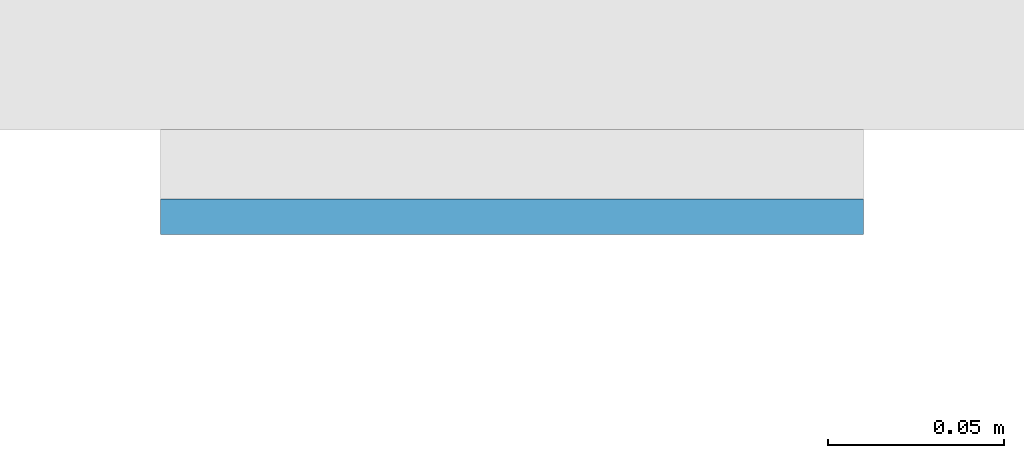
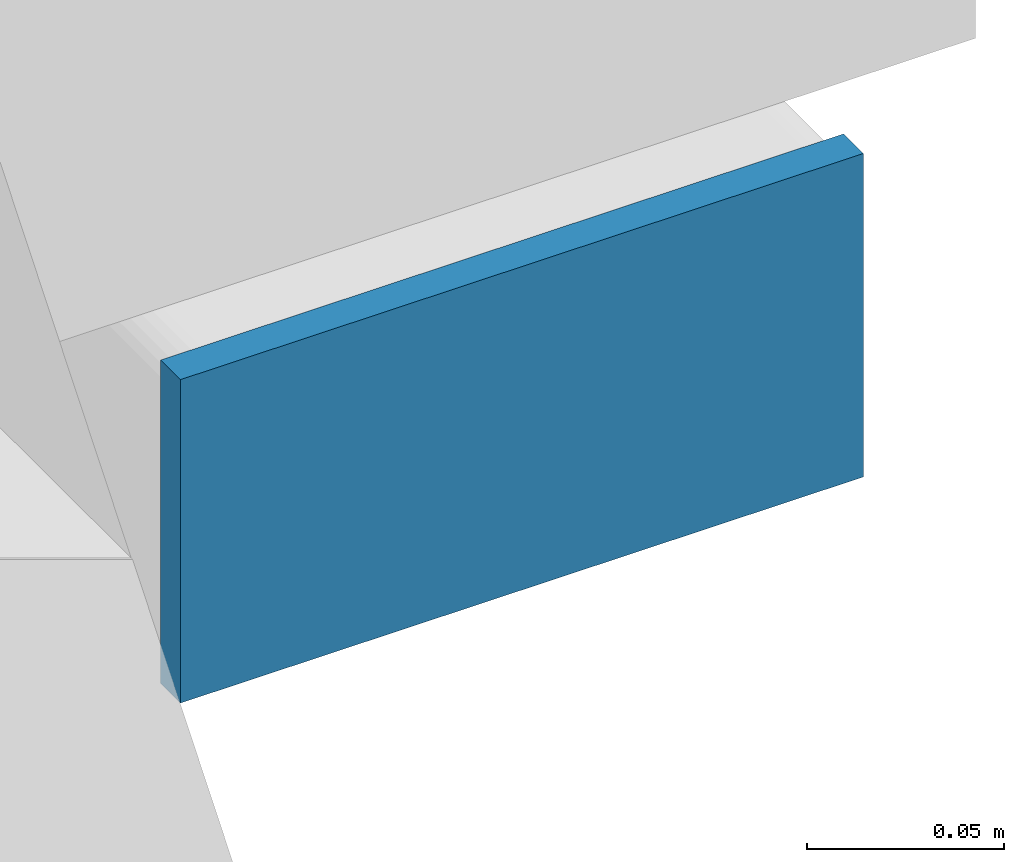
# One storey, part 10 of 20: 1 plate.
"""IFC4 building model written with IfcOpenShell, lengths in metres."""

import ifcopenshell
import ifcopenshell.guid

model = None  # the IFC model being written
_history = None  # IfcOwnerHistory: only IFC2X3 demands one
_inside = {}  # id of a spatial element -> (the spatial element, [elements in it])
_under = {}  # id of a project, library or spatial element -> (it, [spatial elements below it])
_declared = {}  # id of a project -> (the project, [libraries it declares])
_typed = {}  # id of a type object -> (the type object, [elements of that type])
_made_of = {}  # id of a material, layer set ... -> (it, [elements and type objects made of it])


def new_model(schema):
    """Start an empty IFC model of exactly this schema.

    Asked for "IFC4X3", IfcOpenShell would pick the latest addendum, in which some entities
    have other attributes; the version numbers below select the first issue.
    IFC2X3 requires an IfcOwnerHistory on every rooted entity: one is made here for all.
    """
    global model, _history
    if schema == "IFC4X3":
        model = ifcopenshell.file(schema_version=(4, 3, 0, 0))
    else:
        model = ifcopenshell.file(schema=schema)
    _inside.clear()
    _under.clear()
    _declared.clear()
    _typed.clear()
    _made_of.clear()
    _history = None
    if model.schema == "IFC2X3":
        org = make("IfcOrganization", Name="unknown")
        user = make(
            "IfcPersonAndOrganization",
            ThePerson=make("IfcPerson", FamilyName="unknown"),
            TheOrganization=org,
        )
        app = make(
            "IfcApplication",
            ApplicationDeveloper=org,
            Version="unknown",
            ApplicationFullName="unknown",
            ApplicationIdentifier="unknown",
        )
        _history = make(
            "IfcOwnerHistory",
            OwningUser=user,
            OwningApplication=app,
            ChangeAction="ADDED",
            CreationDate=0,
        )
    return model


def make(cls, **values):
    """One entity of the class cls with the attributes given. An attribute that is None is left unset."""
    return model.create_entity(
        cls, **{name: value for name, value in values.items() if value is not None}
    )


def rooted(cls, **values):
    """An entity with a GlobalId (a new one), such as an element, a storey or a relation."""
    return make(cls, GlobalId=ifcopenshell.guid.new(), OwnerHistory=_history, **values)


def si_unit(unit_type, name, prefix=None):
    """IfcSIUnit, for example si_unit("LENGTHUNIT", "METRE", prefix="MILLI")."""
    return make("IfcSIUnit", UnitType=unit_type, Prefix=prefix, Name=name)


def assignment(units):
    """IfcUnitAssignment: the units of a project."""
    return None if units is None else make("IfcUnitAssignment", Units=units)


def point(xyz):
    """IfcCartesianPoint."""
    return None if xyz is None else make("IfcCartesianPoint", Coordinates=xyz)


def direction(xyz):
    """IfcDirection."""
    return None if xyz is None else make("IfcDirection", DirectionRatios=xyz)


def frame(location, z_axis=None, x_axis=None):
    """IfcAxis2Placement3D, a coordinate frame: its origin and axes. An axis left out is left unset."""
    return make(
        "IfcAxis2Placement3D",
        Location=point(location),
        Axis=direction(z_axis),
        RefDirection=direction(x_axis),
    )


def frame_2d(location, x_axis=None):
    """IfcAxis2Placement2D, a coordinate frame in the plane: its origin and x axis."""
    return make(
        "IfcAxis2Placement2D", Location=point(location), RefDirection=direction(x_axis)
    )


def origin():
    """The frame at (0, 0, 0) with its axes left unset."""
    return frame((0.0, 0.0, 0.0))


def origin_2d():
    """The frame at (0, 0) in the plane with its x axis left unset."""
    return frame_2d((0.0, 0.0))


def place(relative_to, where):
    """IfcLocalPlacement: puts the frame where relative to a parent placement (None: the world)."""
    return make(
        "IfcLocalPlacement", PlacementRelTo=relative_to, RelativePlacement=where
    )


def context(
    kind, dimensions, precision=None, world=None, true_north=None, identifier=None
):
    """IfcGeometricRepresentationContext, for example the 3D "Model" context."""
    return make(
        "IfcGeometricRepresentationContext",
        ContextIdentifier=identifier,
        ContextType=kind,
        CoordinateSpaceDimension=dimensions,
        Precision=precision,
        WorldCoordinateSystem=world,
        TrueNorth=true_north,
    )


def subcontext(parent, identifier, kind, view, scale=None):
    """IfcGeometricRepresentationSubContext, for example "Body" below "Model"."""
    return make(
        "IfcGeometricRepresentationSubContext",
        ContextIdentifier=identifier,
        ContextType=kind,
        ParentContext=parent,
        TargetScale=scale,
        TargetView=view,
    )


def project(units=None, contexts=None):
    """IfcProject with its units and contexts."""
    return rooted(
        "IfcProject",
        Name="project",
        RepresentationContexts=contexts,
        UnitsInContext=assignment(units),
    )


def spatial(cls, under=None, at=None, **own):
    """A site, building, storey or space (cls), placed at a placement, below another one or the project."""
    s = rooted(cls, ObjectPlacement=at, **own)
    if under is not None:
        _under.setdefault(under.id(), (under, []))[1].append(s)
    return s


def profile(cls, at=None, kind="AREA", **sizes):
    """A parametric profile (cls). Its sizes go by their IFC names, for example OverallWidth=200.0."""
    return make(cls, ProfileType=kind, Position=at, **sizes)


def rectangle(**sizes):
    """IfcRectangleProfileDef."""
    return profile("IfcRectangleProfileDef", **sizes)


def extrude(swept, where, along, depth):
    """IfcExtrudedAreaSolid: the profile swept, set in the frame where, extruded along a direction by depth."""
    return make(
        "IfcExtrudedAreaSolid",
        SweptArea=swept,
        Position=where,
        ExtrudedDirection=direction(along),
        Depth=depth,
    )


def shape(context_of_items, identifier, shape_type, items):
    """IfcShapeRepresentation: the items that make up one representation, for example the "Body"."""
    return make(
        "IfcShapeRepresentation",
        ContextOfItems=context_of_items,
        RepresentationIdentifier=identifier,
        RepresentationType=shape_type,
        Items=items,
    )


def material(Name=None, Category=None):
    """IfcMaterial."""
    return make("IfcMaterial", Name=Name, Category=Category)


def layer(
    of_material, thickness, ventilated=None, Name=None, Category=None, Priority=None
):
    """IfcMaterialLayer: one layer of a wall or slab, of a material (None: an air gap)."""
    return make(
        "IfcMaterialLayer",
        Material=of_material,
        LayerThickness=thickness,
        IsVentilated=ventilated,
        Name=Name,
        Category=Category,
        Priority=Priority,
    )


def layer_set(layers, Name=None):
    """IfcMaterialLayerSet."""
    return make("IfcMaterialLayerSet", MaterialLayers=layers, LayerSetName=Name)


def made_of(thing, what):
    """Note that an element or type object is made of a material, layer set ...; save() writes the relation."""
    if what is not None:
        _made_of.setdefault(what.id(), (what, []))[1].append(thing)
    return thing


def type_object(cls, material=None, **own):
    """A type object (cls), such as IfcWallType, which elements share."""
    return made_of(rooted(cls, **own), material)


def element(
    cls,
    number,
    at=None,
    inside=None,
    cuts=None,
    type_object=None,
    material=None,
    context=None,
    identifier="Body",
    shape_type=None,
    held_by="IfcProductDefinitionShape",
    body=None,
    shapes=None,
    **own,
):
    """One element of the class cls, such as IfcWall. Its Tag is "e" and its number.

    at: its placement. inside: the storey or other place that contains it. cuts: it is an
    opening in that element (IfcRelVoidsElement). A single representation is given by context,
    identifier, shape_type and body (its items); several are given by shapes. held_by: the class
    of the entity that holds the representations. save() writes the other relations.
    """
    e = rooted(cls, Tag="e%d" % number, ObjectPlacement=at, **own)
    if body is not None:
        shapes = [shape(context, identifier, shape_type, body)]
    if shapes is not None:
        e.Representation = make(held_by, Representations=shapes)
    if inside is not None:
        _inside.setdefault(inside.id(), (inside, []))[1].append(e)
    if cuts is not None:
        rooted(
            "IfcRelVoidsElement", RelatingBuildingElement=cuts, RelatedOpeningElement=e
        )
    if type_object is not None:
        _typed.setdefault(type_object.id(), (type_object, []))[1].append(e)
    return made_of(e, material)


def aggregate(whole, parts):
    """IfcRelAggregates: a whole, such as a stair, and the parts it consists of."""
    return rooted("IfcRelAggregates", RelatingObject=whole, RelatedObjects=parts)


def save(model, path):
    """Write the relations noted so far, then the file.

    IfcRelAggregates (storeys below a building ...), IfcRelContainedInSpatialStructure (elements
    in a storey), IfcRelDefinesByType, IfcRelAssociatesMaterial and IfcRelDeclares: one each for
    every whole, place, type object, material and project.
    """
    for whole, parts in _under.values():
        aggregate(whole, parts)
    for where, things in _inside.values():
        rooted(
            "IfcRelContainedInSpatialStructure",
            RelatedElements=things,
            RelatingStructure=where,
        )
    for kind, things in _typed.values():
        rooted("IfcRelDefinesByType", RelatedObjects=things, RelatingType=kind)
    for what, things in _made_of.values():
        rooted("IfcRelAssociatesMaterial", RelatedObjects=things, RelatingMaterial=what)
    for by, libraries in _declared.values():
        rooted("IfcRelDeclares", RelatingContext=by, RelatedDefinitions=libraries)
    model.write(path)


model = new_model("IFC4")

# Units and contexts
model_context = context("Model", 3, precision=1e-05, world=origin(), true_north=direction((0.0, 1.0)))
body_context = subcontext(model_context, "Body", "Model", "MODEL_VIEW")
ifc_project = project(units=[si_unit("LENGTHUNIT", "METRE"), si_unit("AREAUNIT", "SQUARE_METRE"), si_unit("VOLUMEUNIT", "CUBIC_METRE"), si_unit("PLANEANGLEUNIT", "RADIAN"), si_unit("MASSUNIT", "GRAM", prefix="KILO")], contexts=[model_context])

# Site, building, storey
site_placement = place(None, origin())
site = spatial("IfcSite", under=ifc_project, at=site_placement, CompositionType="ELEMENT")
building_placement = place(site_placement, origin())
building = spatial("IfcBuilding", under=site, at=building_placement, Name="Cleftline Residences", CompositionType="ELEMENT")
storey_placement = place(building_placement, frame((0.0, 0.0, 164.60009765625)))
storey = spatial("IfcBuildingStorey", under=building, at=storey_placement, Name="L43", CompositionType="ELEMENT", Elevation=164.60009765625)

# Plate
ifc_material = material(Name="Steel S355, hot-dip galvanised", Category="steel")
ifc_layer = layer(ifc_material, 0.010009765625)
ifc_layer_set = layer_set([ifc_layer], Name="BAGUETTE CARRIER END PLATE 200X100X10")
plate_type = type_object("IfcPlateType", Name="BAGUETTE CARRIER END PLATE 200X100X10", PredefinedType="USERDEFINED", material=ifc_layer_set)
plate_placement = place(storey_placement, frame((66.85009765625, 3.695068359375, -0.10009765625), z_axis=(0.0, 0.0, 1.0), x_axis=(1.0, 0.0, 0.0)))
element("IfcPlate", 1, at=plate_placement, inside=storey, type_object=plate_type, Name="Baguette carrier end plate", ObjectType="BAGUETTE CARRIER END PLATE", PredefinedType="USERDEFINED", context=body_context, shape_type="SweptSolid", body=[
    extrude(rectangle(XDim=0.199951171875, YDim=0.010009765625, at=origin_2d()), origin(), (0.0, 0.0, 1.0), 0.10009765625),
])

save(model, "model.ifc")
